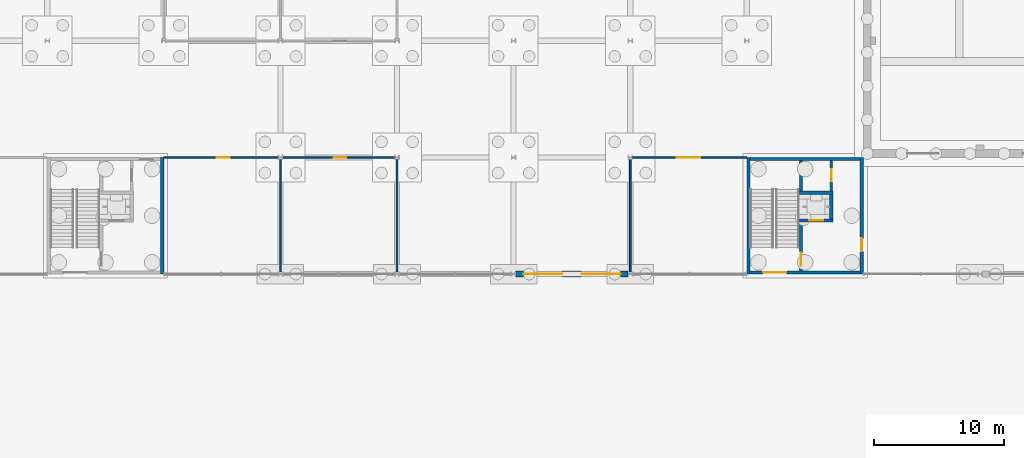
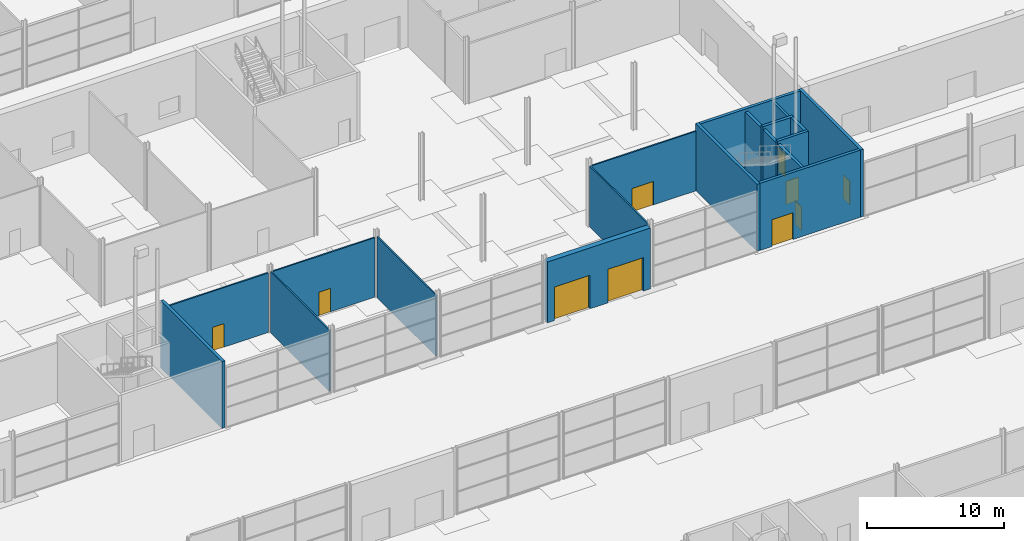
# One storey, part 65 of 97: 17 walls, 10 doors, 10 openings.
"""IFC4 building model written with IfcOpenShell, lengths in metres."""

from ifc_helpers import new_model, si_unit, direction, frame, frame_2d, origin, place, context, subcontext, project, spatial, rectangle, extrude, material, layer, layer_set, type_object, element, fill, save


model = new_model("IFC4")

# Units and contexts
model_context = context("Model", 3, precision=1e-05, world=origin(), true_north=direction((0.0, 1.0)))
body_context = subcontext(model_context, "Body", "Model", "MODEL_VIEW")
ifc_project = project(units=[si_unit("LENGTHUNIT", "METRE"), si_unit("AREAUNIT", "SQUARE_METRE"), si_unit("VOLUMEUNIT", "CUBIC_METRE"), si_unit("PLANEANGLEUNIT", "RADIAN"), si_unit("MASSUNIT", "GRAM", prefix="KILO")], contexts=[model_context])

# Site, building, storey
site_placement = place(None, origin())
site = spatial("IfcSite", under=ifc_project, at=site_placement, CompositionType="ELEMENT")
building_placement = place(site_placement, origin())
building = spatial("IfcBuilding", under=site, at=building_placement, Name="Corbel Yard City Hall", CompositionType="ELEMENT")
storey_placement = place(building_placement, origin())
storey = spatial("IfcBuildingStorey", under=building, at=storey_placement, Name="L00", CompositionType="ELEMENT", Elevation=0.0)

# Walls
ifc_material_1 = material(Name="Concrete N50 (50 MPa)", Category="concrete")
ifc_layer_1 = layer(ifc_material_1, 0.25)
ifc_layer_set_1 = layer_set([ifc_layer_1], Name="Concrete N50 (50 MPa)")
wall_type_1 = type_object("IfcWallType", Name="Core cell wall 250", PredefinedType="SHEAR", material=ifc_layer_set_1)
for number, where, z_axis, x_axis, name in (
    (1, (62.875, 45.0, 0.0), (0.0, 0.0, 1.0), (0.0, 1.0, 0.0), "Core PC-M2 east wall"),
    (2, (108.125, 45.0, 0.0), (0.0, 0.0, 1.0), (0.0, 1.0, 0.0), "Core PC-M3 west wall"),
):
    element("IfcWall", number, at=place(storey_placement, frame(where, z_axis=z_axis, x_axis=x_axis)), inside=storey, type_object=wall_type_1, Name=name, PredefinedType="SHEAR", context=body_context, shape_type="SweptSolid", body=[
        extrude(rectangle(XDim=9.0, YDim=0.25, at=frame_2d((4.5, 0.0))), origin(), (0.0, 0.0, 1.0), 6.0),
    ])

# Wall, opening, door
wall_1_placement = place(storey_placement, frame((116.875, 45.0, 0.0), z_axis=(0.0, 0.0, 1.0), x_axis=(0.0, 1.0, 0.0)))
wall_1 = element("IfcWall", 3, at=wall_1_placement, inside=storey, type_object=wall_type_1, Name="Core PC-M3 east wall", PredefinedType="SHEAR", context=body_context, shape_type="SweptSolid", body=[
    extrude(rectangle(XDim=9.0, YDim=0.25, at=frame_2d((4.5, 0.0))), origin(), (0.0, 0.0, 1.0), 6.0),
])
opening_1_placement = place(wall_1_placement, frame((1.75, 0.0, 0.0)))
opening_1 = element("IfcOpeningElement", 4, at=opening_1_placement, cuts=wall_1, Name="Opening L00-144", PredefinedType="OPENING", context=body_context, shape_type="SweptSolid", body=[
    extrude(rectangle(XDim=1.0, YDim=2.10009765625, at=frame_2d((0.5, 1.050048828125))), frame((0.0, 0.135009765625, 0.0), z_axis=(0.0, -1.0, 0.0), x_axis=(1.0, 0.0, 0.0)), (0.0, 0.0, 1.0), 0.27001953125),
])
ifc_material_2 = material(Name="Steel Grade G250", Category="steel")
door_type_1 = type_object("IfcDoorType", Name="FS1", OperationType="SINGLE_SWING_LEFT", PredefinedType="DOOR", material=ifc_material_2)
door_1_placement = place(opening_1_placement, origin())
door_1 = element("IfcDoor", 5, at=door_1_placement, inside=storey, type_object=door_type_1, Name="Door Lift Lobby", OperationType="SINGLE_SWING_LEFT", OverallHeight=2.10009765625, OverallWidth=1.0, PredefinedType="DOOR", context=body_context, shape_type="SweptSolid", body=[
    extrude(rectangle(XDim=1.0, YDim=2.10009765625, at=frame_2d((0.5, 1.050048828125))), frame((0.0, 0.02490234375, 0.0), z_axis=(0.0, -1.0, 0.0), x_axis=(1.0, 0.0, 0.0)), (0.0, 0.0, 1.0), 0.050048828125),
])
fill(opening_1, door_1)

wall_2_placement = place(storey_placement, frame((108.25, 45.125, 0.0), z_axis=(0.0, 0.0, 1.0), x_axis=(1.0, 0.0, 0.0)))
wall_2 = element("IfcWall", 6, at=wall_2_placement, inside=storey, type_object=wall_type_1, Name="Core PC-M3 south wall", PredefinedType="SHEAR", context=body_context, shape_type="SweptSolid", body=[
    extrude(rectangle(XDim=8.5, YDim=0.25, at=frame_2d((4.25, 0.0))), origin(), (0.0, 0.0, 1.0), 6.0),
])
opening_2_placement = place(wall_2_placement, frame((1.0, 0.0, 0.0)))
opening_2 = element("IfcOpeningElement", 7, at=opening_2_placement, cuts=wall_2, Name="Opening L00-040", PredefinedType="OPENING", context=body_context, shape_type="SweptSolid", body=[
    extrude(rectangle(XDim=1.800048828125, YDim=2.39990234375, at=frame_2d((0.89990234375, 1.199951171875))), frame((0.0, 0.135009765625, 0.0), z_axis=(0.0, -1.0, 0.0), x_axis=(1.0, 0.0, 0.0)), (0.0, 0.0, 1.0), 0.27001953125),
])
ifc_material_3 = material(Name="Steel Grade G250, insulated infill", Category="steel")
door_type_2 = type_object("IfcDoorType", Name="XD2", OperationType="DOUBLE_DOOR_SINGLE_SWING", PredefinedType="DOOR", material=ifc_material_3)
door_2_placement = place(opening_2_placement, frame((1.800048828125, 0.0, 0.0), z_axis=(0.0, 0.0, 1.0), x_axis=(-1.0, 0.0, 0.0)))
door_2 = element("IfcDoor", 8, at=door_2_placement, inside=storey, type_object=door_type_2, Name="Stair exit door PC-M3", OperationType="DOUBLE_DOOR_SINGLE_SWING", OverallHeight=2.39990234375, OverallWidth=1.800048828125, PredefinedType="DOOR", context=body_context, shape_type="SweptSolid", body=[
    extrude(rectangle(XDim=1.800048828125, YDim=2.39990234375, at=frame_2d((0.89990234375, 1.199951171875))), frame((0.0, 0.02490234375, 0.0), z_axis=(0.0, -1.0, 0.0), x_axis=(1.0, 0.0, 0.0)), (0.0, 0.0, 1.0), 0.050048828125),
])
fill(opening_2, door_2)

# Wall
wall_3_placement = place(storey_placement, frame((108.25, 53.875, 0.0), z_axis=(0.0, 0.0, 1.0), x_axis=(1.0, 0.0, 0.0)))
element("IfcWall", 9, at=wall_3_placement, inside=storey, type_object=wall_type_1, Name="Core PC-M3 north wall", PredefinedType="SHEAR", context=body_context, shape_type="SweptSolid", body=[
    extrude(rectangle(XDim=8.5, YDim=0.25, at=frame_2d((4.25, 0.0))), origin(), (0.0, 0.0, 1.0), 6.0),
])

# Wall, openings, doors
ifc_material_4 = material(Name="Sandstone cladding", Category="masonry")
ifc_layer_2 = layer(ifc_material_4, 0.06005859375)
ifc_material_5 = material(Name="Air cavity", Category="air")
ifc_layer_3 = layer(ifc_material_5, 0.0400390625)
ifc_material_6 = material(Name="Concrete N40 (40 MPa)", Category="concrete")
ifc_layer_4 = layer(ifc_material_6, 0.25)
ifc_material_7 = material(Name="Mineral wool", Category="insulation")
ifc_layer_5 = layer(ifc_material_7, 0.10009765625)
ifc_layer_set_2 = layer_set([ifc_layer_2, ifc_layer_3, ifc_layer_4, ifc_layer_5], Name="Concrete N40 (40 MPa)")
wall_type_2 = type_object("IfcWallType", Name="EW2", PredefinedType="SOLIDWALL", material=ifc_layer_set_2)
wall_4_placement = place(storey_placement, frame((90.157470703125, 45.0, 0.0), z_axis=(0.0, 0.0, 1.0), x_axis=(1.0, 0.0, 0.0)))
wall_4 = element("IfcWall", 10, at=wall_4_placement, inside=storey, type_object=wall_type_2, Name="Entrance pier wall", PredefinedType="SOLIDWALL", context=body_context, shape_type="SweptSolid", body=[
    extrude(rectangle(XDim=8.68505859375, YDim=0.449951171875, at=frame_2d((4.342529296875, 0.0))), origin(), (0.0, 0.0, 1.0), 5.444091796875),
])
opening_3_placement = place(wall_4_placement, frame((0.592529296875, 0.0, 0.0)))
opening_3 = element("IfcOpeningElement", 11, at=opening_3_placement, cuts=wall_4, Name="Opening L00-013", PredefinedType="OPENING", context=body_context, shape_type="SweptSolid", body=[
    extrude(rectangle(XDim=3.0, YDim=3.0, at=frame_2d((1.5, 1.5))), frame((0.0, 0.23486328125, 0.0), z_axis=(0.0, -1.0, 0.0), x_axis=(1.0, 0.0, 0.0)), (0.0, 0.0, 1.0), 0.469970703125),
])
opening_4_placement = place(wall_4_placement, frame((5.092529296875, 0.0, 0.0)))
opening_4 = element("IfcOpeningElement", 12, at=opening_4_placement, cuts=wall_4, Name="Opening L00-014", PredefinedType="OPENING", context=body_context, shape_type="SweptSolid", body=[
    extrude(rectangle(XDim=3.0, YDim=3.0, at=frame_2d((1.5, 1.5))), frame((0.0, 0.23486328125, 0.0), z_axis=(0.0, -1.0, 0.0), x_axis=(1.0, 0.0, 0.0)), (0.0, 0.0, 1.0), 0.469970703125),
])
ifc_material_8 = material(Name="Aluminium frame, toughened laminated glass", Category="aluminium")
door_type_3 = type_object("IfcDoorType", Name="XD7", OperationType="DOUBLE_DOOR_SINGLE_SWING", PredefinedType="DOOR", material=ifc_material_8)
door_3_placement = place(opening_3_placement, frame((3.0, 0.0, 0.0), z_axis=(0.0, 0.0, 1.0), x_axis=(-1.0, 0.0, 0.0)))
door_3 = element("IfcDoor", 13, at=door_3_placement, inside=storey, type_object=door_type_3, Name="Civic Foyer entrance south door 1", OperationType="DOUBLE_DOOR_SINGLE_SWING", OverallHeight=3.0, OverallWidth=3.0, PredefinedType="DOOR", context=body_context, shape_type="SweptSolid", body=[
    extrude(rectangle(XDim=3.0, YDim=3.0, at=frame_2d((1.5, 1.5))), frame((0.0, 0.02490234375, 0.0), z_axis=(0.0, -1.0, 0.0), x_axis=(1.0, 0.0, 0.0)), (0.0, 0.0, 1.0), 0.050048828125),
])
fill(opening_3, door_3)
door_4_placement = place(opening_4_placement, frame((3.0, 0.0, 0.0), z_axis=(0.0, 0.0, 1.0), x_axis=(-1.0, 0.0, 0.0)))
door_4 = element("IfcDoor", 14, at=door_4_placement, inside=storey, type_object=door_type_3, Name="Civic Foyer entrance south door 2", OperationType="DOUBLE_DOOR_SINGLE_SWING", OverallHeight=3.0, OverallWidth=3.0, PredefinedType="DOOR", context=body_context, shape_type="SweptSolid", body=[
    extrude(rectangle(XDim=3.0, YDim=3.0, at=frame_2d((1.5, 1.5))), frame((0.0, 0.02490234375, 0.0), z_axis=(0.0, -1.0, 0.0), x_axis=(1.0, 0.0, 0.0)), (0.0, 0.0, 1.0), 0.050048828125),
])
fill(opening_4, door_4)

# Wall, opening, door
ifc_layer_6 = layer(ifc_material_6, 0.25)
ifc_layer_set_3 = layer_set([ifc_layer_6], Name="Concrete N40 (40 MPa)")
wall_type_3 = type_object("IfcWallType", Name="IW2", PredefinedType="SOLIDWALL", material=ifc_layer_set_3)
wall_5_placement = place(storey_placement, frame((112.175048828125, 45.25, 0.0), z_axis=(0.0, 0.0, 1.0), x_axis=(0.0, 1.0, 0.0)))
wall_5 = element("IfcWall", 15, at=wall_5_placement, inside=storey, type_object=wall_type_3, Name="Stair enclosure wall", PredefinedType="SOLIDWALL", context=body_context, shape_type="SweptSolid", body=[
    extrude(rectangle(XDim=8.5, YDim=0.25, at=frame_2d((4.25, 0.0))), origin(), (0.0, 0.0, 1.0), 5.75),
])
opening_5_placement = place(wall_5_placement, frame((0.39990234375, 0.0, 0.0)))
opening_5 = element("IfcOpeningElement", 16, at=opening_5_placement, cuts=wall_5, Name="Opening L00-143", PredefinedType="OPENING", context=body_context, shape_type="SweptSolid", body=[
    extrude(rectangle(XDim=1.0, YDim=2.10009765625, at=frame_2d((0.5, 1.050048828125))), frame((0.0, 0.135009765625, 0.0), z_axis=(0.0, -1.0, 0.0), x_axis=(1.0, 0.0, 0.0)), (0.0, 0.0, 1.0), 0.27001953125),
])
door_5_placement = place(opening_5_placement, origin())
door_5 = element("IfcDoor", 17, at=door_5_placement, inside=storey, type_object=door_type_1, Name="Door Exit Stair 10", OperationType="SINGLE_SWING_LEFT", OverallHeight=2.10009765625, OverallWidth=1.0, PredefinedType="DOOR", context=body_context, shape_type="SweptSolid", body=[
    extrude(rectangle(XDim=1.0, YDim=2.10009765625, at=frame_2d((0.5, 1.050048828125))), frame((0.0, 0.02490234375, 0.0), z_axis=(0.0, -1.0, 0.0), x_axis=(1.0, 0.0, 0.0)), (0.0, 0.0, 1.0), 0.050048828125),
])
fill(opening_5, door_5)

wall_6_placement = place(storey_placement, frame((112.050048828125, 49.125, -1.39990234375), z_axis=(0.0, 0.0, 1.0), x_axis=(1.0, 0.0, 0.0)))
wall_6 = element("IfcWall", 18, at=wall_6_placement, inside=storey, type_object=wall_type_3, Name="Lift LP10 shaft wall", PredefinedType="SOLIDWALL", context=body_context, shape_type="SweptSolid", body=[
    extrude(rectangle(XDim=2.599853515625, YDim=0.25, at=frame_2d((1.2998046875, 0.0))), origin(), (0.0, 0.0, 1.0), 7.39990234375),
])
opening_6_placement = place(wall_6_placement, frame((0.75, 0.0, 1.39990234375)))
opening_6 = element("IfcOpeningElement", 19, at=opening_6_placement, cuts=wall_6, Name="Opening L00-109", PredefinedType="OPENING", context=body_context, shape_type="SweptSolid", body=[
    extrude(rectangle(XDim=1.10009765625, YDim=2.10009765625, at=frame_2d((0.550048828125, 1.050048828125))), frame((0.0, 0.135009765625, 0.0), z_axis=(0.0, -1.0, 0.0), x_axis=(1.0, 0.0, 0.0)), (0.0, 0.0, 1.0), 0.27001953125),
])
ifc_material_9 = material(Name="Stainless steel Grade 316", Category="steel")
door_type_4 = type_object("IfcDoorType", Name="LD1", OperationType="DOUBLE_DOOR_SLIDING", PredefinedType="DOOR", material=ifc_material_9)
door_6_placement = place(opening_6_placement, origin())
door_6 = element("IfcDoor", 20, at=door_6_placement, inside=storey, type_object=door_type_4, Name="Lift LP10 landing door", OperationType="DOUBLE_DOOR_SLIDING", OverallHeight=2.10009765625, OverallWidth=1.10009765625, PredefinedType="DOOR", context=body_context, shape_type="SweptSolid", body=[
    extrude(rectangle(XDim=1.10009765625, YDim=2.10009765625, at=frame_2d((0.550048828125, 1.050048828125))), frame((0.0, 0.02490234375, 0.0), z_axis=(0.0, -1.0, 0.0), x_axis=(1.0, 0.0, 0.0)), (0.0, 0.0, 1.0), 0.050048828125),
])
fill(opening_6, door_6)

# Walls
wall_7_placement = place(storey_placement, frame((112.050048828125, 51.27490234375, -1.39990234375), z_axis=(0.0, 0.0, 1.0), x_axis=(1.0, 0.0, 0.0)))
element("IfcWall", 21, at=wall_7_placement, inside=storey, type_object=wall_type_3, Name="Lift LP10 shaft wall", PredefinedType="SOLIDWALL", context=body_context, shape_type="SweptSolid", body=[
    extrude(rectangle(XDim=2.599853515625, YDim=0.25, at=frame_2d((1.2998046875, 0.0))), origin(), (0.0, 0.0, 1.0), 7.39990234375),
])
wall_8_placement = place(storey_placement, frame((114.52490234375, 49.25, -1.39990234375), z_axis=(0.0, 0.0, 1.0), x_axis=(0.0, 1.0, 0.0)))
element("IfcWall", 22, at=wall_8_placement, inside=storey, type_object=wall_type_3, Name="Lift LP10 shaft wall", PredefinedType="SOLIDWALL", context=body_context, shape_type="SweptSolid", body=[
    extrude(rectangle(XDim=1.89990234375, YDim=0.25, at=frame_2d((0.949951171875, 0.0))), origin(), (0.0, 0.0, 1.0), 7.39990234375),
])

# Wall, opening, door
ifc_material_10 = material(Name="Gypsum plasterboard", Category="gypsum")
ifc_layer_7 = layer(ifc_material_10, 0.028076171875)
ifc_material_11 = material(Name="Steel Grade G550 (550 MPa yield)", Category="steel")
ifc_layer_8 = layer(ifc_material_11, 0.06396484375)
ifc_layer_9 = layer(ifc_material_10, 0.028076171875)
ifc_layer_set_4 = layer_set([ifc_layer_7, ifc_layer_8, ifc_layer_9], Name="Steel Grade G550 (550 MPa yield)")
wall_type_4 = type_object("IfcWallType", Name="PT1", PredefinedType="PARTITIONING", material=ifc_layer_set_4)
wall_9_placement = place(storey_placement, frame((63.0, 54.0, 0.0), z_axis=(0.0, 0.0, 1.0), x_axis=(1.0, 0.0, 0.0)))
wall_9 = element("IfcWall", 23, at=wall_9_placement, inside=storey, type_object=wall_type_4, Name="Partition", PredefinedType="PARTITIONING", context=body_context, shape_type="SweptSolid", body=[
    extrude(rectangle(XDim=8.83642578125, YDim=0.1201171875, at=frame_2d((4.418212890625, 0.0))), origin(), (0.0, 0.0, 1.0), 5.322021484375),
])
opening_7_placement = place(wall_9_placement, frame((4.10009765625, 0.0, 0.0)))
opening_7 = element("IfcOpeningElement", 24, at=opening_7_placement, cuts=wall_9, Name="Opening L00-125", PredefinedType="OPENING", context=body_context, shape_type="SweptSolid", body=[
    extrude(rectangle(XDim=1.0, YDim=2.10009765625, at=frame_2d((0.5, 1.050048828125))), frame((0.0, 0.070068359375, 0.0), z_axis=(0.0, -1.0, 0.0), x_axis=(1.0, 0.0, 0.0)), (0.0, 0.0, 1.0), 0.14013671875),
])
ifc_material_12 = material(Name="Timber", Category="wood")
door_type_5 = type_object("IfcDoorType", Name="D1", OperationType="SINGLE_SWING_LEFT", PredefinedType="DOOR", material=ifc_material_12)
door_7_placement = place(opening_7_placement, frame((1.0, 0.0, 0.0), z_axis=(0.0, 0.0, 1.0), x_axis=(-1.0, 0.0, 0.0)))
door_7 = element("IfcDoor", 25, at=door_7_placement, inside=storey, type_object=door_type_5, Name="Door Information Hall", OperationType="SINGLE_SWING_LEFT", OverallHeight=2.10009765625, OverallWidth=1.0, PredefinedType="DOOR", context=body_context, shape_type="SweptSolid", body=[
    extrude(rectangle(XDim=1.0, YDim=2.10009765625, at=frame_2d((0.5, 1.050048828125))), frame((0.0, 0.02490234375, 0.0), z_axis=(0.0, -1.0, 0.0), x_axis=(1.0, 0.0, 0.0)), (0.0, 0.0, 1.0), 0.050048828125),
])
fill(opening_7, door_7)

wall_10_placement = place(storey_placement, frame((72.16357421875, 54.0, 0.0), z_axis=(0.0, 0.0, 1.0), x_axis=(1.0, 0.0, 0.0)))
wall_10 = element("IfcWall", 26, at=wall_10_placement, inside=storey, type_object=wall_type_4, Name="Partition", PredefinedType="PARTITIONING", context=body_context, shape_type="SweptSolid", body=[
    extrude(rectangle(XDim=8.6728515625, YDim=0.1201171875, at=frame_2d((4.33642578125, 0.0))), origin(), (0.0, 0.0, 1.0), 5.322021484375),
])
opening_8_placement = place(wall_10_placement, frame((3.9365234375, 0.0, 0.0)))
opening_8 = element("IfcOpeningElement", 27, at=opening_8_placement, cuts=wall_10, Name="Opening L00-126", PredefinedType="OPENING", context=body_context, shape_type="SweptSolid", body=[
    extrude(rectangle(XDim=1.0, YDim=2.10009765625, at=frame_2d((0.5, 1.050048828125))), frame((0.0, 0.070068359375, 0.0), z_axis=(0.0, -1.0, 0.0), x_axis=(1.0, 0.0, 0.0)), (0.0, 0.0, 1.0), 0.14013671875),
])
door_8_placement = place(opening_8_placement, frame((1.0, 0.0, 0.0), z_axis=(0.0, 0.0, 1.0), x_axis=(-1.0, 0.0, 0.0)))
door_8 = element("IfcDoor", 28, at=door_8_placement, inside=storey, type_object=door_type_5, Name="Door Parents' Room", OperationType="SINGLE_SWING_LEFT", OverallHeight=2.10009765625, OverallWidth=1.0, PredefinedType="DOOR", context=body_context, shape_type="SweptSolid", body=[
    extrude(rectangle(XDim=1.0, YDim=2.10009765625, at=frame_2d((0.5, 1.050048828125))), frame((0.0, 0.02490234375, 0.0), z_axis=(0.0, -1.0, 0.0), x_axis=(1.0, 0.0, 0.0)), (0.0, 0.0, 1.0), 0.050048828125),
])
fill(opening_8, door_8)

wall_11_placement = place(storey_placement, frame((99.16357421875, 54.0, 0.0), z_axis=(0.0, 0.0, 1.0), x_axis=(1.0, 0.0, 0.0)))
wall_11 = element("IfcWall", 29, at=wall_11_placement, inside=storey, type_object=wall_type_4, Name="Partition", PredefinedType="PARTITIONING", context=body_context, shape_type="SweptSolid", body=[
    extrude(rectangle(XDim=8.83642578125, YDim=0.1201171875, at=frame_2d((4.418212890625, 0.0))), origin(), (0.0, 0.0, 1.0), 5.322021484375),
])
opening_9_placement = place(wall_11_placement, frame((3.4365234375, 0.0, 0.0)))
opening_9 = element("IfcOpeningElement", 30, at=opening_9_placement, cuts=wall_11, Name="Opening L00-149", PredefinedType="OPENING", context=body_context, shape_type="SweptSolid", body=[
    extrude(rectangle(XDim=1.800048828125, YDim=2.10009765625, at=frame_2d((0.89990234375, 1.050048828125))), frame((0.0, 0.070068359375, 0.0), z_axis=(0.0, -1.0, 0.0), x_axis=(1.0, 0.0, 0.0)), (0.0, 0.0, 1.0), 0.14013671875),
])
door_type_6 = type_object("IfcDoorType", Name="D3", OperationType="DOUBLE_DOOR_SINGLE_SWING", PredefinedType="DOOR", material=ifc_material_12)
door_9_placement = place(opening_9_placement, origin())
door_9 = element("IfcDoor", 31, at=door_9_placement, inside=storey, type_object=door_type_6, Name="Door Information Office", OperationType="DOUBLE_DOOR_SINGLE_SWING", OverallHeight=2.10009765625, OverallWidth=1.800048828125, PredefinedType="DOOR", context=body_context, shape_type="SweptSolid", body=[
    extrude(rectangle(XDim=1.800048828125, YDim=2.10009765625, at=frame_2d((0.89990234375, 1.050048828125))), frame((0.0, 0.02490234375, 0.0), z_axis=(0.0, -1.0, 0.0), x_axis=(1.0, 0.0, 0.0)), (0.0, 0.0, 1.0), 0.050048828125),
])
fill(opening_9, door_9)

# Walls
for number, where, z_axis, x_axis, name in (
    (32, (72.0, 45.157470703125, 0.0), (0.0, 0.0, 1.0), (0.0, 1.0, 0.0), "Partition"),
    (33, (81.0, 45.157470703125, 0.0), (0.0, 0.0, 1.0), (0.0, 1.0, 0.0), "Partition"),
    (34, (99.0, 45.157470703125, 0.0), (0.0, 0.0, 1.0), (0.0, 1.0, 0.0), "Partition"),
):
    element("IfcWall", number, at=place(storey_placement, frame(where, z_axis=z_axis, x_axis=x_axis)), inside=storey, type_object=wall_type_4, Name=name, PredefinedType="PARTITIONING", context=body_context, shape_type="SweptSolid", body=[
        extrude(rectangle(XDim=8.678955078125, YDim=0.1201171875, at=frame_2d((4.33935546875, 0.0))), origin(), (0.0, 0.0, 1.0), 5.447021484375),
    ])

# Wall, opening, door
ifc_material_13 = material(Name="Concrete block", Category="concrete")
ifc_layer_10 = layer(ifc_material_13, 0.18994140625)
ifc_layer_set_5 = layer_set([ifc_layer_10], Name="Concrete block")
wall_type_5 = type_object("IfcWallType", Name="PT4", PredefinedType="PARTITIONING", material=ifc_layer_set_5)
wall_12_placement = place(storey_placement, frame((114.52490234375, 51.39990234375, 0.0), z_axis=(0.0, 0.0, 1.0), x_axis=(0.0, 1.0, 0.0)))
wall_12 = element("IfcWall", 35, at=wall_12_placement, inside=storey, type_object=wall_type_5, Name="Fire-resisting block wall", PredefinedType="PARTITIONING", context=body_context, shape_type="SweptSolid", body=[
    extrude(rectangle(XDim=2.35009765625, YDim=0.18994140625, at=frame_2d((1.175048828125, 0.0))), origin(), (0.0, 0.0, 1.0), 5.75),
])
opening_10_placement = place(wall_12_placement, frame((0.777587890625, 0.0, 0.0)))
opening_10 = element("IfcOpeningElement", 36, at=opening_10_placement, cuts=wall_12, Name="Opening L00-145", PredefinedType="OPENING", context=body_context, shape_type="SweptSolid", body=[
    extrude(rectangle(XDim=0.919921875, YDim=2.10009765625, at=frame_2d((0.4599609375, 1.050048828125))), frame((0.0, 0.10498046875, 0.0), z_axis=(0.0, -1.0, 0.0), x_axis=(1.0, 0.0, 0.0)), (0.0, 0.0, 1.0), 0.2099609375),
])
door_type_7 = type_object("IfcDoorType", Name="FS5", OperationType="SINGLE_SWING_RIGHT", PredefinedType="DOOR", material=ifc_material_2)
door_10_placement = place(opening_10_placement, origin())
door_10 = element("IfcDoor", 37, at=door_10_placement, inside=storey, type_object=door_type_7, Name="Door Service Riser", OperationType="SINGLE_SWING_RIGHT", OverallHeight=2.10009765625, OverallWidth=0.919921875, PredefinedType="DOOR", context=body_context, shape_type="SweptSolid", body=[
    extrude(rectangle(XDim=0.919921875, YDim=2.10009765625, at=frame_2d((0.4599609375, 1.050048828125))), frame((0.0, 0.02490234375, 0.0), z_axis=(0.0, -1.0, 0.0), x_axis=(1.0, 0.0, 0.0)), (0.0, 0.0, 1.0), 0.050048828125),
])
fill(opening_10, door_10)

save(model, "model.ifc")
